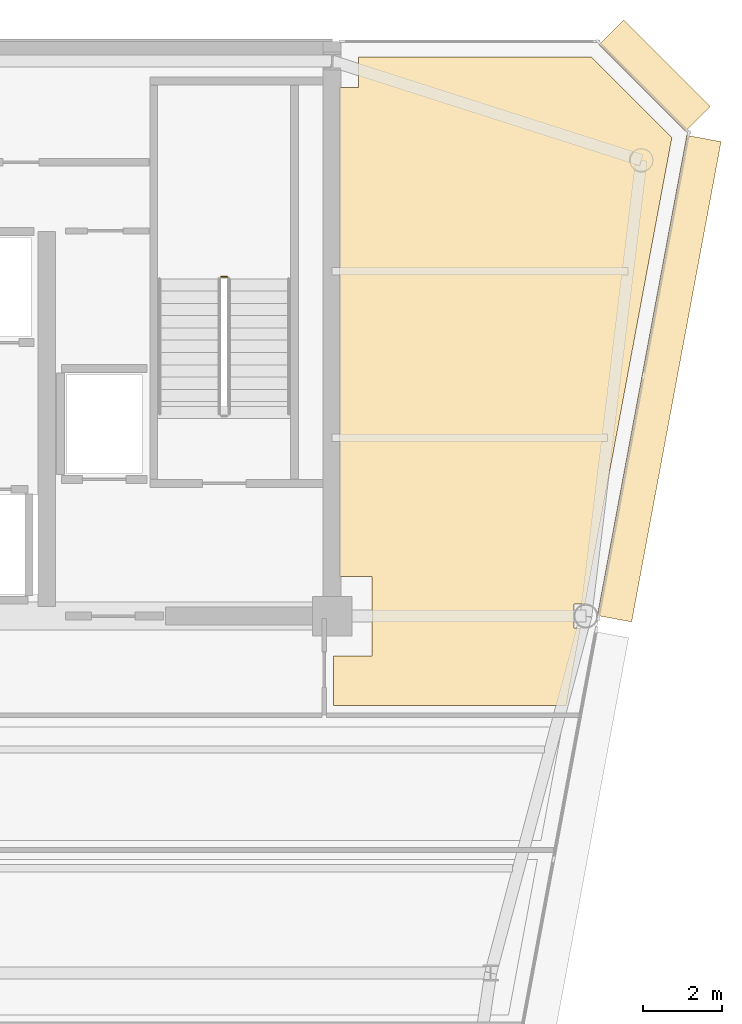
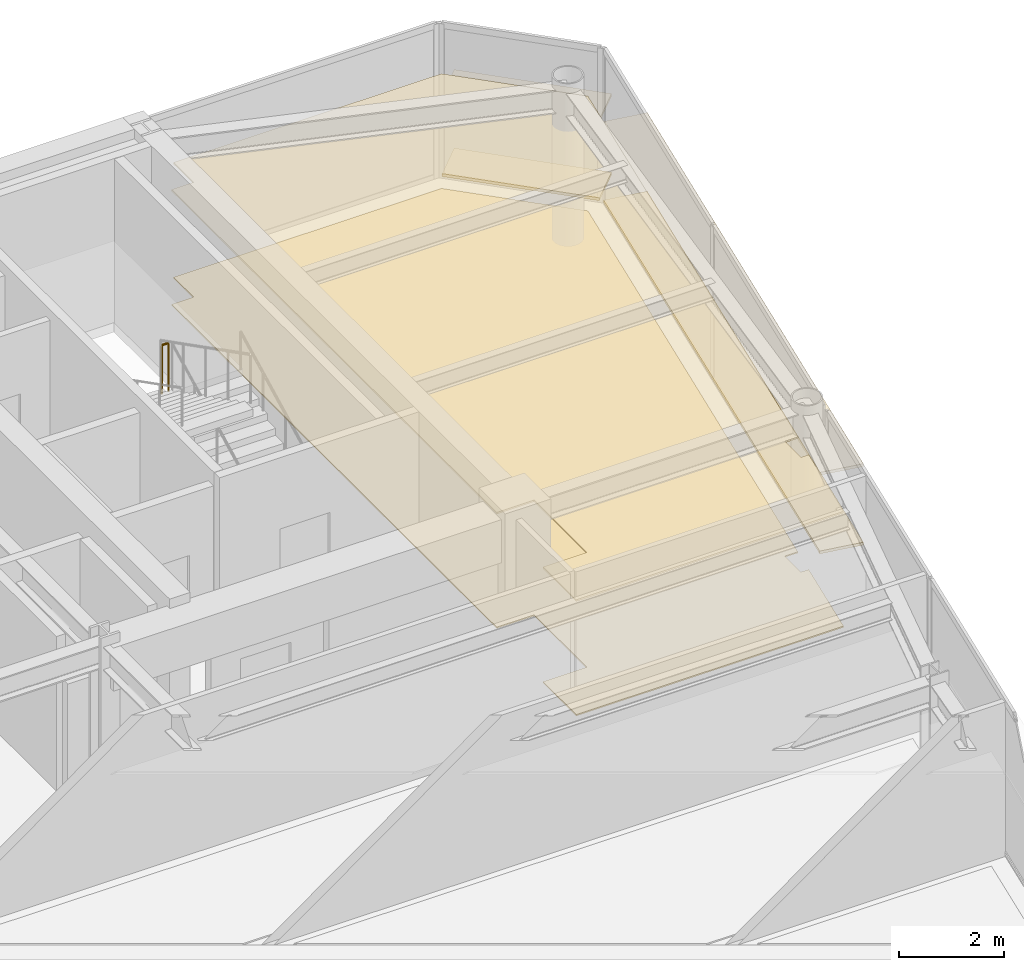
# One storey, part 18 of 18: 6 coverings, 1 railing.
"""IFC4 building model written with IfcOpenShell, lengths in metres."""

from ifc_helpers import new_model, si_unit, direction, frame, origin, origin_2d, place, context, subcontext, project, spatial, polyline, rectangle, circle, outline, extrude, source, transform, mapped, material, layer, layer_set, type_object, element, save


model = new_model("IFC4")

# Units and contexts
model_context = context("Model", 3, precision=1e-05, world=origin(), true_north=direction((0.0, 1.0)))
body_context = subcontext(model_context, "Body", "Model", "MODEL_VIEW")
ifc_project = project(units=[si_unit("LENGTHUNIT", "METRE"), si_unit("AREAUNIT", "SQUARE_METRE"), si_unit("VOLUMEUNIT", "CUBIC_METRE"), si_unit("PLANEANGLEUNIT", "RADIAN"), si_unit("MASSUNIT", "GRAM", prefix="KILO")], contexts=[model_context])

# Site, building, storey
site_placement = place(None, origin())
site = spatial("IfcSite", under=ifc_project, at=site_placement, CompositionType="ELEMENT")
building_placement = place(site_placement, origin())
building = spatial("IfcBuilding", under=site, at=building_placement, Name="Vaeldorn Concourse Tower", CompositionType="ELEMENT")
storey_placement = place(building_placement, frame((0.0, 0.0, 261.199951171875)))
storey = spatial("IfcBuildingStorey", under=building, at=storey_placement, Name="L67", CompositionType="ELEMENT", Elevation=261.199951171875)

# Coverings
ifc_material_1 = material(Name="Acoustic Mineral Fibre Board", Category="gypsum")
ifc_layer_1 = layer(ifc_material_1, 0.0400390625)
ifc_layer_set_1 = layer_set([ifc_layer_1], Name="Acoustic Mineral Fibre Board")
covering_type_1 = type_object("IfcCoveringType", Name="COV-CEIL-ACOUSTIC", PredefinedType="CEILING", material=ifc_layer_set_1)
covering_1_placement = place(storey_placement, frame((0.0, 0.0, 2.650146484375)))
element("IfcCovering", 1, at=covering_1_placement, inside=storey, type_object=covering_type_1, Name="Suspended Acoustic Ceiling L67-4", PredefinedType="CEILING", context=body_context, shape_type="SweptSolid", body=[
    extrude(outline(polyline([(54.179931640625, 49.840087890625), (54.659912109375, 49.840087890625), (54.659912109375, 50.60009765625), (60.5341796875, 50.60009765625), (62.568115234375, 48.566162109375), (60.378173828125, 36.804931640625), (60.094970703125, 36.804931640625), (60.094970703125, 36.195068359375), (60.2646484375, 36.195068359375), (59.900634765625, 34.239990234375), (54.0400390625, 34.239990234375), (54.0400390625, 35.5), (55.0, 35.5), (55.0, 37.5), (54.179931640625, 37.5), (54.179931640625, 49.840087890625)])), origin(), (0.0, 0.0, 1.0), 0.039794921875),
])
ifc_material_2 = material(Name="Honed Limestone Terrazzo Flooring", Category="masonry")
ifc_layer_2 = layer(ifc_material_2, 0.0400390625)
ifc_layer_set_2 = layer_set([ifc_layer_2], Name="Honed Limestone Terrazzo Flooring")
covering_type_2 = type_object("IfcCoveringType", Name="COV-FLOOR-STONE", PredefinedType="FLOORING", material=ifc_layer_set_2)
covering_2_placement = place(storey_placement, origin())
element("IfcCovering", 2, at=covering_2_placement, inside=storey, type_object=covering_type_2, Name="Floor Finish Covering L67-4", PredefinedType="FLOORING", context=body_context, shape_type="SweptSolid", body=[
    extrude(outline(polyline([(54.179931640625, 49.840087890625), (54.659912109375, 49.840087890625), (54.659912109375, 50.60009765625), (60.5341796875, 50.60009765625), (62.568115234375, 48.566162109375), (60.378173828125, 36.804931640625), (60.094970703125, 36.804931640625), (60.094970703125, 36.195068359375), (60.2646484375, 36.195068359375), (59.900634765625, 34.239990234375), (54.0400390625, 34.239990234375), (54.0400390625, 35.5), (55.0, 35.5), (55.0, 37.5), (54.179931640625, 37.5), (54.179931640625, 49.840087890625)])), origin(), (0.0, 0.0, 1.0), 0.030029296875),
])

# Railing
ifc_material_3 = material(Name="Anodised Bronze Aluminium", Category="aluminium")
railing_type = type_object("IfcRailingType", Name="RL-STAIR-GUARD", PredefinedType="GUARDRAIL", material=ifc_material_3)
railing_placement = place(storey_placement, frame((51.35009765625, 45.06005859375, 1.900146484375)))
element("IfcRailing", 3, at=railing_placement, inside=storey, type_object=railing_type, Name="L67 ST-2 stair guard 2", PredefinedType="GUARDRAIL", context=body_context, shape_type="SweptSolid", body=[
    extrude(circle(Radius=0.02392578125, at=origin_2d()), frame((0.0, 0.0, 1.1259765625), z_axis=(-1.0, 0.0, 0.0), x_axis=(0.0, -1.0, 0.0)), (0.0, 0.0, 1.0), 0.150146484375),
    extrude(circle(Radius=0.02099609375, at=origin_2d()), origin(), (0.0, 0.0, 1.0), 1.101806640625),
    extrude(circle(Radius=0.02099609375, at=origin_2d()), frame((-0.150146484375, 0.0, 0.0)), (0.0, 0.0, 1.0), 1.101806640625),
])

# Coverings
ifc_layer_3 = layer(ifc_material_3, 0.06494140625)
ifc_layer_set_3 = layer_set([ifc_layer_3], Name="Anodised Bronze Aluminium")
covering_type_3 = type_object("IfcCoveringType", Name="SD-BRONZE-SUNSHADE", PredefinedType="USERDEFINED", material=ifc_layer_set_3)
shared_shape_1 = source(origin(), body_context, "Body", "SweptSolid", [
    extrude(rectangle(XDim=3.0927734375, YDim=0.8798828125, at=origin_2d()), origin(), (0.0, 0.0, 1.0), 0.06494140625),
])
for number, where, z_axis, x_axis, name in (
    (4, (62.1328125, 50.1328125, 0.047607421875), (0.0, 0.0, 1.0), (-0.707106781187, 0.707106781187, 0.0), "Horizontal Bronze Sunshade L67-E08.1.1"),
    (5, (62.1328125, 50.1328125, 1.86767578125), (0.0, 0.0, 1.0), (-0.707106781187, 0.707106781187, 0.0), "Horizontal Bronze Sunshade L67-E08.1.2"),
):
    element("IfcCovering", number, at=place(storey_placement, frame(where, z_axis=z_axis, x_axis=x_axis)), inside=storey, type_object=covering_type_3, Name=name, ObjectType="SUNSHADE", PredefinedType="USERDEFINED", context=body_context, shape_type="MappedRepresentation", body=[
        mapped(shared_shape_1, transform((0.0, 0.0, 0.0), scale=1.0)),
    ])
shared_shape_2 = source(origin(), body_context, "Body", "SweptSolid", [
    extrude(rectangle(XDim=12.322509765625, YDim=0.8798828125, at=origin_2d()), origin(), (0.0, 0.0, 1.0), 0.06494140625),
])
for number, where, z_axis, x_axis, name in (
    (6, (62.250732421875, 42.490966796875, 0.047607421875), (0.0, 0.0, 1.0), (0.183059191151, 0.983101893262, 0.0), "Horizontal Bronze Sunshade L67-E07.2.1"),
    (7, (62.250732421875, 42.490966796875, 1.86767578125), (0.0, 0.0, 1.0), (0.183059191151, 0.983101893262, 0.0), "Horizontal Bronze Sunshade L67-E07.2.2"),
):
    element("IfcCovering", number, at=place(storey_placement, frame(where, z_axis=z_axis, x_axis=x_axis)), inside=storey, type_object=covering_type_3, Name=name, ObjectType="SUNSHADE", PredefinedType="USERDEFINED", context=body_context, shape_type="MappedRepresentation", body=[
        mapped(shared_shape_2, transform((0.0, 0.0, 0.0), scale=1.0)),
    ])

save(model, "model.ifc")
